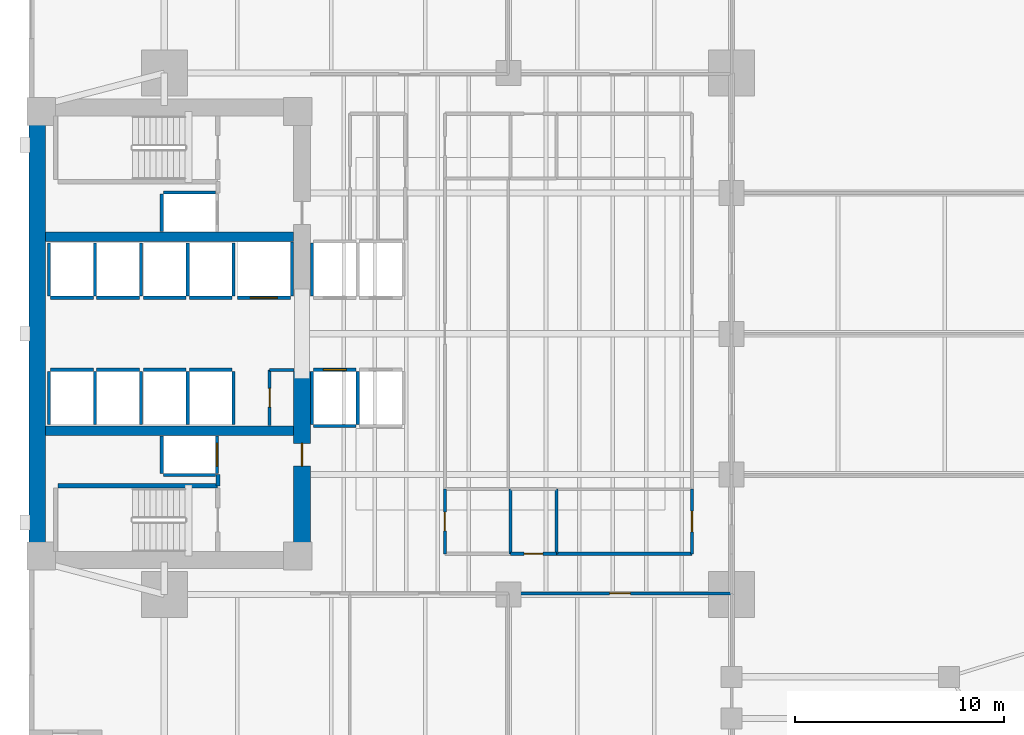
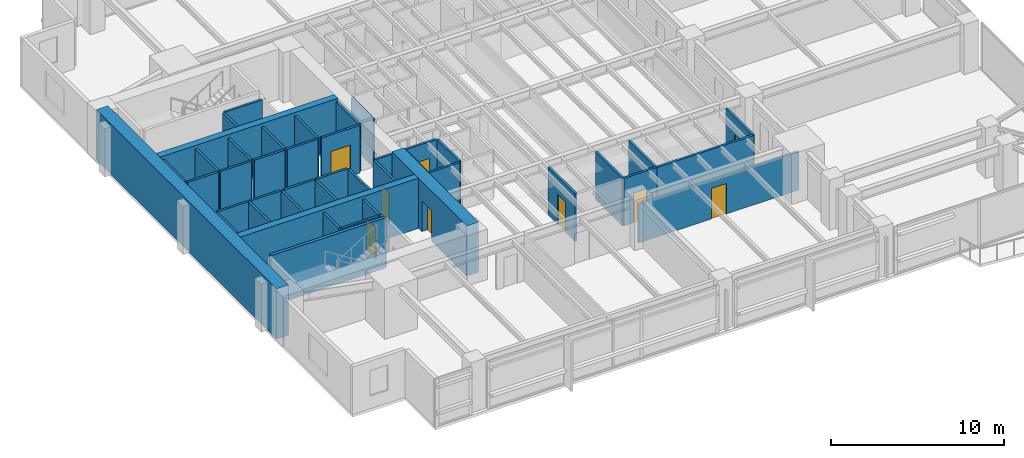
# One storey, part 8 of 15: 45 walls, 9 doors, 9 openings.
"""IFC4 building model written with IfcOpenShell, lengths in metres."""

from ifc_helpers import new_model, si_unit, direction, frame, frame_2d, origin, place, context, subcontext, project, spatial, rectangle, extrude, material, layer, layer_set, type_object, element, fill, save


model = new_model("IFC4")

# Units and contexts
model_context = context("Model", 3, precision=1e-05, world=origin(), true_north=direction((0.0, 1.0)))
body_context = subcontext(model_context, "Body", "Model", "MODEL_VIEW")
ifc_project = project(units=[si_unit("LENGTHUNIT", "METRE"), si_unit("AREAUNIT", "SQUARE_METRE"), si_unit("VOLUMEUNIT", "CUBIC_METRE"), si_unit("PLANEANGLEUNIT", "RADIAN"), si_unit("MASSUNIT", "GRAM", prefix="KILO")], contexts=[model_context])

# Site, building, storey
site_placement = place(None, origin())
site = spatial("IfcSite", under=ifc_project, at=site_placement, CompositionType="ELEMENT")
building_placement = place(site_placement, origin())
building = spatial("IfcBuilding", under=site, at=building_placement, Name="Kinhvarn Gate Tower", CompositionType="ELEMENT")
storey_placement = place(building_placement, frame((0.0, 0.0, 32.699951171875)))
storey = spatial("IfcBuildingStorey", under=building, at=storey_placement, Name="L07", CompositionType="ELEMENT", Elevation=32.699951171875)

# Walls
ifc_material_1 = material(Name="Concrete C50/60", Category="concrete")
ifc_layer_1 = layer(ifc_material_1, 0.449951171875)
ifc_layer_set_1 = layer_set([ifc_layer_1], Name="Concrete C50/60")
wall_type_1 = type_object("IfcWallType", Name="WL-CORE-450", PredefinedType="SHEAR", material=ifc_layer_set_1)
for number, where, z_axis, x_axis, name in (
    (1, (5.300048828125, 20.60009765625, 0.0), (0.0, 0.0, 1.0), (1.0, 0.0, 0.0), "Core South Spine Shear Wall L07 450 mm"),
    (2, (5.300048828125, 29.89990234375, 0.0), (0.0, 0.0, 1.0), (1.0, 0.0, 0.0), "Core North Spine Shear Wall L07 450 mm"),
):
    element("IfcWall", number, at=place(storey_placement, frame(where, z_axis=z_axis, x_axis=x_axis)), inside=storey, type_object=wall_type_1, Name=name, PredefinedType="SHEAR", context=body_context, shape_type="SweptSolid", body=[
        extrude(rectangle(XDim=11.89990234375, YDim=0.449951171875, at=frame_2d((5.949951171875, 0.0))), origin(), (0.0, 0.0, 1.0), 3.550048828125),
    ])

# Wall, opening, door
ifc_material_2 = material(Name="Concrete C70/85", Category="concrete")
ifc_layer_2 = layer(ifc_material_2, 0.800048828125)
ifc_layer_set_2 = layer_set([ifc_layer_2], Name="Concrete C70/85")
wall_type_2 = type_object("IfcWallType", Name="WL-CORE-800", PredefinedType="SHEAR", material=ifc_layer_set_2)
wall_1_placement = place(storey_placement, frame((17.60009765625, 14.800048828125, 0.0), z_axis=(0.0, 0.0, 1.0), x_axis=(0.0, 1.0, 0.0)))
wall_1 = element("IfcWall", 3, at=wall_1_placement, inside=storey, type_object=wall_type_2, Name="Core East-South Shear Pier L07 800 mm", PredefinedType="SHEAR", context=body_context, shape_type="SweptSolid", body=[
    extrude(rectangle(XDim=8.64990234375, YDim=0.800048828125, at=frame_2d((4.324951171875, 0.0))), origin(), (0.0, 0.0, 1.0), 3.550048828125),
])
opening_1_placement = place(wall_1_placement, frame((4.10009765625, 0.0, 0.0)))
opening_1 = element("IfcOpeningElement", 4, at=opening_1_placement, cuts=wall_1, Name="Opening FD-02", PredefinedType="OPENING", context=body_context, shape_type="SweptSolid", body=[
    extrude(rectangle(XDim=1.10009765625, YDim=2.14990234375, at=frame_2d((0.550048828125, 1.074951171875))), frame((0.0, 0.41015625, 0.0), z_axis=(0.0, -1.0, 0.0), x_axis=(1.0, 0.0, 0.0)), (0.0, 0.0, 1.0), 0.820068359375),
])
ifc_material_3 = material(Name="Anodised aluminium AW-6063", Category="aluminium")
door_type_1 = type_object("IfcDoorType", Name="DR-FD-1100", OperationType="NOTDEFINED", PredefinedType="DOOR", material=ifc_material_3)
door_1_placement = place(opening_1_placement, origin())
door_1 = element("IfcDoor", 5, at=door_1_placement, inside=storey, type_object=door_type_1, Name="Firefighting Lobby Core Door (L07)", OperationType="SINGLE_SWING_RIGHT", OverallHeight=2.14990234375, OverallWidth=1.10009765625, PredefinedType="DOOR", context=body_context, shape_type="SweptSolid", body=[
    extrude(rectangle(XDim=1.10009765625, YDim=2.14990234375, at=frame_2d((0.550048828125, 1.074951171875))), frame((0.0, 0.02490234375, 0.0), z_axis=(0.0, -1.0, 0.0), x_axis=(1.0, 0.0, 0.0)), (0.0, 0.0, 1.0), 0.050048828125),
])
fill(opening_1, door_1)

# Walls
ifc_layer_3 = layer(ifc_material_2, 0.800048828125)
ifc_layer_set_3 = layer_set([ifc_layer_3], Name="Concrete C70/85")
wall_type_3 = type_object("IfcWallType", Name="WL-COREX-800", PredefinedType="SHEAR", material=ifc_layer_set_3)
wall_2_placement = place(storey_placement, frame((4.89990234375, 14.800048828125, 0.0), z_axis=(0.0, 0.0, 1.0), x_axis=(0.0, 1.0, 0.0)))
element("IfcWall", 6, at=wall_2_placement, inside=storey, type_object=wall_type_3, Name="Core West Shear Wall L07 800 mm", PredefinedType="SHEAR", context=body_context, shape_type="SweptSolid", body=[
    extrude(rectangle(XDim=20.89990234375, YDim=0.800048828125, at=frame_2d((10.449951171875, 0.0))), origin(), (0.0, 0.0, 1.0), 3.550048828125),
])
ifc_material_4 = material(Name="Gypsum acoustic partition board")
ifc_layer_4 = layer(ifc_material_4, 0.14990234375)
ifc_layer_set_4 = layer_set([ifc_layer_4], Name="Gypsum acoustic partition board")
wall_type_4 = type_object("IfcWallType", Name="WL-PLM-150", PredefinedType="PLUMBINGWALL", material=ifc_layer_set_4)
for number, where, z_axis, x_axis, name in (
    (7, (27.60009765625, 14.699951171875, 0.0), (0.0, 0.0, 1.0), (0.0, 1.0, 0.0), "Interior Partition PLW-150 (L07)"),
    (8, (29.800048828125, 14.699951171875, 0.0), (0.0, 0.0, 1.0), (0.0, 1.0, 0.0), "Interior Partition PLW-150 (L07)"),
):
    element("IfcWall", number, at=place(storey_placement, frame(where, z_axis=z_axis, x_axis=x_axis)), inside=storey, type_object=wall_type_4, Name=name, PredefinedType="PLUMBINGWALL", context=body_context, shape_type="SweptSolid", body=[
        extrude(rectangle(XDim=3.10009765625, YDim=0.14990234375, at=frame_2d((1.550048828125, 0.0))), origin(), (0.0, 0.0, 1.0), 3.3701171875),
    ])

# Wall, opening, door
ifc_layer_5 = layer(ifc_material_4, 0.14990234375)
ifc_layer_set_5 = layer_set([ifc_layer_5], Name="Gypsum acoustic partition board")
wall_type_5 = type_object("IfcWallType", Name="WL-PLM-150F", PredefinedType="PLUMBINGWALL", material=ifc_layer_set_5)
wall_3_placement = place(storey_placement, frame((24.449951171875, 14.699951171875, 0.0), z_axis=(0.0, 0.0, 1.0), x_axis=(0.0, 1.0, 0.0)))
wall_3 = element("IfcWall", 9, at=wall_3_placement, inside=storey, type_object=wall_type_5, Name="Interior Partition PLW-150F (L07)", PredefinedType="PLUMBINGWALL", context=body_context, shape_type="SweptSolid", body=[
    extrude(rectangle(XDim=3.10009765625, YDim=0.14990234375, at=frame_2d((1.550048828125, 0.0))), origin(), (0.0, 0.0, 1.0), 3.3701171875),
])
opening_2_placement = place(wall_3_placement, frame((1.10009765625, 0.0, 0.0)))
opening_2 = element("IfcOpeningElement", 10, at=opening_2_placement, cuts=wall_3, Name="Opening FD-04", PredefinedType="OPENING", context=body_context, shape_type="SweptSolid", body=[
    extrude(rectangle(XDim=0.89990234375, YDim=2.10009765625, at=frame_2d((0.449951171875, 1.050048828125))), frame((0.0, 0.0849609375, 0.0), z_axis=(0.0, -1.0, 0.0), x_axis=(1.0, 0.0, 0.0)), (0.0, 0.0, 1.0), 0.169921875),
])
door_type_2 = type_object("IfcDoorType", Name="DR-FD-900", OperationType="NOTDEFINED", PredefinedType="DOOR", material=ifc_material_3)
door_2_placement = place(opening_2_placement, origin())
door_2 = element("IfcDoor", 11, at=door_2_placement, inside=storey, type_object=door_type_2, Name="Rated Riser & Service Closet Fire Door 900x2100 mm (L07)", OperationType="SINGLE_SWING_LEFT", OverallHeight=2.10009765625, OverallWidth=0.89990234375, PredefinedType="DOOR", context=body_context, shape_type="SweptSolid", body=[
    extrude(rectangle(XDim=0.89990234375, YDim=2.10009765625, at=frame_2d((0.449951171875, 1.050048828125))), frame((0.0, 0.02490234375, 0.0), z_axis=(0.0, -1.0, 0.0), x_axis=(1.0, 0.0, 0.0)), (0.0, 0.0, 1.0), 0.050048828125),
])
fill(opening_2, door_2)

wall_4_placement = place(storey_placement, frame((27.60009765625, 14.699951171875, 0.0), z_axis=(0.0, 0.0, 1.0), x_axis=(1.0, 0.0, 0.0)))
wall_4 = element("IfcWall", 12, at=wall_4_placement, inside=storey, type_object=wall_type_5, Name="Interior Partition PLW-150F (L07)", PredefinedType="PLUMBINGWALL", context=body_context, shape_type="SweptSolid", body=[
    extrude(rectangle(XDim=2.199951171875, YDim=0.14990234375, at=frame_2d((1.10009765625, 0.0))), origin(), (0.0, 0.0, 1.0), 3.3701171875),
])
opening_3_placement = place(wall_4_placement, frame((0.64990234375, 0.0, 0.0)))
opening_3 = element("IfcOpeningElement", 13, at=opening_3_placement, cuts=wall_4, Name="Opening FD-04", PredefinedType="OPENING", context=body_context, shape_type="SweptSolid", body=[
    extrude(rectangle(XDim=0.89990234375, YDim=2.10009765625, at=frame_2d((0.449951171875, 1.050048828125))), frame((0.0, 0.0849609375, 0.0), z_axis=(0.0, -1.0, 0.0), x_axis=(1.0, 0.0, 0.0)), (0.0, 0.0, 1.0), 0.169921875),
])
door_3_placement = place(opening_3_placement, origin())
door_3 = element("IfcDoor", 14, at=door_3_placement, inside=storey, type_object=door_type_2, Name="Rated Riser & Service Closet Fire Door 900x2100 mm (L07)", OperationType="SINGLE_SWING_LEFT", OverallHeight=2.10009765625, OverallWidth=0.89990234375, PredefinedType="DOOR", context=body_context, shape_type="SweptSolid", body=[
    extrude(rectangle(XDim=0.89990234375, YDim=2.10009765625, at=frame_2d((0.449951171875, 1.050048828125))), frame((0.0, 0.02490234375, 0.0), z_axis=(0.0, -1.0, 0.0), x_axis=(1.0, 0.0, 0.0)), (0.0, 0.0, 1.0), 0.050048828125),
])
fill(opening_3, door_3)

ifc_layer_6 = layer(ifc_material_4, 0.14990234375)
ifc_layer_set_6 = layer_set([ifc_layer_6], Name="Gypsum acoustic partition board")
wall_type_6 = type_object("IfcWallType", Name="WL-PRT-150F", PredefinedType="PARTITIONING", material=ifc_layer_set_6)
wall_5_placement = place(storey_placement, frame((16.050048828125, 20.85009765625, 0.0), z_axis=(0.0, 0.0, 1.0), x_axis=(0.0, 1.0, 0.0)))
wall_5 = element("IfcWall", 15, at=wall_5_placement, inside=storey, type_object=wall_type_6, Name="Interior Partition PW-150F (L07)", PredefinedType="PARTITIONING", context=body_context, shape_type="SweptSolid", body=[
    extrude(rectangle(XDim=2.669921875, YDim=0.14990234375, at=frame_2d((1.3349609375, 0.0))), origin(), (0.0, 0.0, 1.0), 3.3701171875),
])
opening_4_placement = place(wall_5_placement, frame((0.885009765625, 0.0, 0.0)))
opening_4 = element("IfcOpeningElement", 16, at=opening_4_placement, cuts=wall_5, Name="Opening FD-04", PredefinedType="OPENING", context=body_context, shape_type="SweptSolid", body=[
    extrude(rectangle(XDim=0.89990234375, YDim=2.10009765625, at=frame_2d((0.449951171875, 1.050048828125))), frame((0.0, 0.0849609375, 0.0), z_axis=(0.0, -1.0, 0.0), x_axis=(1.0, 0.0, 0.0)), (0.0, 0.0, 1.0), 0.169921875),
])
door_4_placement = place(opening_4_placement, origin())
door_4 = element("IfcDoor", 17, at=door_4_placement, inside=storey, type_object=door_type_2, Name="Rated Riser & Service Closet Fire Door 900x2100 mm (L07)", OperationType="SINGLE_SWING_LEFT", OverallHeight=2.10009765625, OverallWidth=0.89990234375, PredefinedType="DOOR", context=body_context, shape_type="SweptSolid", body=[
    extrude(rectangle(XDim=0.89990234375, YDim=2.10009765625, at=frame_2d((0.449951171875, 1.050048828125))), frame((0.0, 0.02490234375, 0.0), z_axis=(0.0, -1.0, 0.0), x_axis=(1.0, 0.0, 0.0)), (0.0, 0.0, 1.0), 0.050048828125),
])
fill(opening_4, door_4)

# Walls
wall_6_placement = place(storey_placement, frame((16.050048828125, 23.52001953125, 0.0), z_axis=(0.0, 0.0, 1.0), x_axis=(1.0, 0.0, 0.0)))
element("IfcWall", 18, at=wall_6_placement, inside=storey, type_object=wall_type_6, Name="Interior Partition PW-150F (L07)", PredefinedType="PARTITIONING", context=body_context, shape_type="SweptSolid", body=[
    extrude(rectangle(XDim=1.169921875, YDim=0.14990234375, at=frame_2d((0.5849609375, 0.0))), origin(), (0.0, 0.0, 1.0), 3.3701171875),
])
wall_7_placement = place(storey_placement, frame((29.800048828125, 14.699951171875, 0.0), z_axis=(0.0, 0.0, 1.0), x_axis=(1.0, 0.0, 0.0)))
element("IfcWall", 19, at=wall_7_placement, inside=storey, type_object=wall_type_6, Name="Interior Partition PW-150F (L07)", PredefinedType="PARTITIONING", context=body_context, shape_type="SweptSolid", body=[
    extrude(rectangle(XDim=6.5, YDim=0.14990234375, at=frame_2d((3.25, 0.0))), origin(), (0.0, 0.0, 1.0), 3.3701171875),
])

# Wall, opening, door
wall_8_placement = place(storey_placement, frame((27.5, 12.800048828125, 0.0), z_axis=(0.0, 0.0, 1.0), x_axis=(1.0, 0.0, 0.0)))
wall_8 = element("IfcWall", 20, at=wall_8_placement, inside=storey, type_object=wall_type_6, Name="Interior Partition PW-150F (L07)", PredefinedType="PARTITIONING", context=body_context, shape_type="SweptSolid", body=[
    extrude(rectangle(XDim=10.699951171875, YDim=0.14990234375, at=frame_2d((5.35009765625, 0.0))), origin(), (0.0, 0.0, 1.0), 2.719970703125),
])
opening_5_placement = place(wall_8_placement, frame((4.85009765625, 0.0, 0.0)))
opening_5 = element("IfcOpeningElement", 21, at=opening_5_placement, cuts=wall_8, Name="Opening ID-02", PredefinedType="OPENING", context=body_context, shape_type="SweptSolid", body=[
    extrude(rectangle(XDim=1.0, YDim=2.14990234375, at=frame_2d((0.5, 1.074951171875))), frame((0.0, 0.0849609375, 0.0), z_axis=(0.0, -1.0, 0.0), x_axis=(1.0, 0.0, 0.0)), (0.0, 0.0, 1.0), 0.169921875),
])
door_type_3 = type_object("IfcDoorType", Name="DR-INT-1000", OperationType="NOTDEFINED", PredefinedType="DOOR", material=ifc_material_3)
door_5_placement = place(opening_5_placement, origin())
door_5 = element("IfcDoor", 22, at=door_5_placement, inside=storey, type_object=door_type_3, Name="Standard Office & Meeting Room Door 1000x2150 mm (L07)", OperationType="SINGLE_SWING_RIGHT", OverallHeight=2.14990234375, OverallWidth=1.0, PredefinedType="DOOR", context=body_context, shape_type="SweptSolid", body=[
    extrude(rectangle(XDim=1.0, YDim=2.14990234375, at=frame_2d((0.5, 1.074951171875))), frame((0.0, 0.02490234375, 0.0), z_axis=(0.0, -1.0, 0.0), x_axis=(1.0, 0.0, 0.0)), (0.0, 0.0, 1.0), 0.050048828125),
])
fill(opening_5, door_5)

wall_9_placement = place(storey_placement, frame((36.300048828125, 14.699951171875, 0.0), z_axis=(0.0, 0.0, 1.0), x_axis=(0.0, 1.0, 0.0)))
wall_9 = element("IfcWall", 23, at=wall_9_placement, inside=storey, type_object=wall_type_6, Name="Interior Partition PW-150F (L07)", PredefinedType="PARTITIONING", context=body_context, shape_type="SweptSolid", body=[
    extrude(rectangle(XDim=3.10009765625, YDim=0.14990234375, at=frame_2d((1.550048828125, 0.0))), origin(), (0.0, 0.0, 1.0), 3.3701171875),
])
opening_6_placement = place(wall_9_placement, frame((1.050048828125, 0.0, 0.0)))
opening_6 = element("IfcOpeningElement", 24, at=opening_6_placement, cuts=wall_9, Name="Opening ID-02", PredefinedType="OPENING", context=body_context, shape_type="SweptSolid", body=[
    extrude(rectangle(XDim=1.0, YDim=2.14990234375, at=frame_2d((0.5, 1.074951171875))), frame((0.0, 0.0849609375, 0.0), z_axis=(0.0, -1.0, 0.0), x_axis=(1.0, 0.0, 0.0)), (0.0, 0.0, 1.0), 0.169921875),
])
door_6_placement = place(opening_6_placement, origin())
door_6 = element("IfcDoor", 25, at=door_6_placement, inside=storey, type_object=door_type_3, Name="Standard Office & Meeting Room Door 1000x2150 mm (L07)", OperationType="SINGLE_SWING_RIGHT", OverallHeight=2.14990234375, OverallWidth=1.0, PredefinedType="DOOR", context=body_context, shape_type="SweptSolid", body=[
    extrude(rectangle(XDim=1.0, YDim=2.14990234375, at=frame_2d((0.5, 1.074951171875))), frame((0.0, 0.02490234375, 0.0), z_axis=(0.0, -1.0, 0.0), x_axis=(1.0, 0.0, 0.0)), (0.0, 0.0, 1.0), 0.050048828125),
])
fill(opening_6, door_6)

# Walls
ifc_layer_7 = layer(ifc_material_4, 0.199951171875)
ifc_layer_set_7 = layer_set([ifc_layer_7], Name="Gypsum acoustic partition board")
wall_type_7 = type_object("IfcWallType", Name="WL-PRT-200", PredefinedType="PARTITIONING", material=ifc_layer_set_7)
wall_10_placement = place(storey_placement, frame((13.580078125, 17.9599609375, 0.0), z_axis=(0.0, 0.0, 1.0), x_axis=(0.0, 1.0, 0.0)))
element("IfcWall", 26, at=wall_10_placement, inside=storey, type_object=wall_type_7, Name="Interior Partition PW-200 (L07)", PredefinedType="PARTITIONING", context=body_context, shape_type="SweptSolid", body=[
    extrude(rectangle(XDim=0.5400390625, YDim=0.199951171875, at=frame_2d((0.27001953125, 0.0))), origin(), (0.0, 0.0, 1.0), 3.3701171875),
])
ifc_layer_8 = layer(ifc_material_4, 0.14990234375)
ifc_layer_set_8 = layer_set([ifc_layer_8], Name="Gypsum acoustic partition board")
wall_type_8 = type_object("IfcWallType", Name="WL-SHF-150", PredefinedType="PARTITIONING", material=ifc_layer_set_8)
wall_11_placement = place(storey_placement, frame((18.14990234375, 20.824951171875, 0.0), z_axis=(0.0, 0.0, 1.0), x_axis=(1.0, 0.0, 0.0)))
element("IfcWall", 27, at=wall_11_placement, inside=storey, type_object=wall_type_8, Name="Elevator PL-01 Hoistway Wall S (L07)", PredefinedType="PARTITIONING", context=body_context, shape_type="SweptSolid", body=[
    extrude(rectangle(XDim=2.050048828125, YDim=0.14990234375, at=frame_2d((1.02490234375, 0.0))), origin(), (0.0, 0.0, 1.0), 3.3701171875),
])

# Wall, opening, door
wall_12_placement = place(storey_placement, frame((18.14990234375, 23.52490234375, 0.0), z_axis=(0.0, 0.0, 1.0), x_axis=(1.0, 0.0, 0.0)))
wall_12 = element("IfcWall", 28, at=wall_12_placement, inside=storey, type_object=wall_type_8, Name="Elevator PL-01 Landing Wall (L07)", PredefinedType="PARTITIONING", context=body_context, shape_type="SweptSolid", body=[
    extrude(rectangle(XDim=2.050048828125, YDim=0.14990234375, at=frame_2d((1.02490234375, 0.0))), origin(), (0.0, 0.0, 1.0), 3.3701171875),
])
opening_7_placement = place(wall_12_placement, frame((0.47509765625, 0.0, 0.0)))
opening_7 = element("IfcOpeningElement", 29, at=opening_7_placement, cuts=wall_12, Name="Opening LD-01", PredefinedType="OPENING", context=body_context, shape_type="SweptSolid", body=[
    extrude(rectangle(XDim=1.10009765625, YDim=2.199951171875, at=frame_2d((0.550048828125, 1.10009765625))), frame((0.0, 0.0849609375, 0.0), z_axis=(0.0, -1.0, 0.0), x_axis=(1.0, 0.0, 0.0)), (0.0, 0.0, 1.0), 0.169921875),
])
door_type_4 = type_object("IfcDoorType", Name="DR-LND-PAS", OperationType="NOTDEFINED", PredefinedType="DOOR", material=ifc_material_3)
door_7_placement = place(opening_7_placement, origin())
door_7 = element("IfcDoor", 30, at=door_7_placement, inside=storey, type_object=door_type_4, Name="Elevator PL-01 Sliding Landing Door (L07)", OperationType="DOUBLE_DOOR_SLIDING", OverallHeight=2.199951171875, OverallWidth=1.10009765625, PredefinedType="DOOR", context=body_context, shape_type="SweptSolid", body=[
    extrude(rectangle(XDim=1.10009765625, YDim=2.199951171875, at=frame_2d((0.550048828125, 1.10009765625))), frame((0.0, 0.02490234375, 0.0), z_axis=(0.0, -1.0, 0.0), x_axis=(1.0, 0.0, 0.0)), (0.0, 0.0, 1.0), 0.050048828125),
])
fill(opening_7, door_7)

# Walls
for number, where, z_axis, x_axis, name in (
    (31, (18.074951171875, 20.89990234375, 0.0), (0.0, 0.0, 1.0), (0.0, 1.0, 0.0), "Elevator PL-01 Hoistway Wall W (L07)"),
    (32, (20.27490234375, 20.89990234375, 0.0), (0.0, 0.0, 1.0), (0.0, 1.0, 0.0), "Elevator PL-01 Hoistway Wall E (L07)"),
    (33, (18.074951171875, 27.050048828125, 0.0), (0.0, 0.0, 1.0), (0.0, 1.0, 0.0), "Elevator PL-03 Hoistway Wall W (L07)"),
):
    element("IfcWall", number, at=place(storey_placement, frame(where, z_axis=z_axis, x_axis=x_axis)), inside=storey, type_object=wall_type_8, Name=name, PredefinedType="PARTITIONING", context=body_context, shape_type="SweptSolid", body=[
        extrude(rectangle(XDim=2.550048828125, YDim=0.14990234375, at=frame_2d((1.27490234375, 0.0))), origin(), (0.0, 0.0, 1.0), 3.3701171875),
    ])
wall_13_placement = place(storey_placement, frame((5.550048828125, 23.52490234375, 0.0), z_axis=(0.0, 0.0, 1.0), x_axis=(1.0, 0.0, 0.0)))
element("IfcWall", 34, at=wall_13_placement, inside=storey, type_object=wall_type_8, Name="Elevator PM-05 Landing Wall (L07)", PredefinedType="PARTITIONING", context=body_context, shape_type="SweptSolid", body=[
    extrude(rectangle(XDim=2.050048828125, YDim=0.14990234375, at=frame_2d((1.02490234375, 0.0))), origin(), (0.0, 0.0, 1.0), 3.3701171875),
])
for number, where, z_axis, x_axis, name in (
    (35, (5.47509765625, 20.89990234375, 0.0), (0.0, 0.0, 1.0), (0.0, 1.0, 0.0), "Elevator PM-05 Hoistway Wall W (L07)"),
    (36, (7.675048828125, 20.89990234375, 0.0), (0.0, 0.0, 1.0), (0.0, 1.0, 0.0), "Elevator PM-05 Hoistway Wall E (L07)"),
):
    element("IfcWall", number, at=place(storey_placement, frame(where, z_axis=z_axis, x_axis=x_axis)), inside=storey, type_object=wall_type_8, Name=name, PredefinedType="PARTITIONING", context=body_context, shape_type="SweptSolid", body=[
        extrude(rectangle(XDim=2.550048828125, YDim=0.14990234375, at=frame_2d((1.27490234375, 0.0))), origin(), (0.0, 0.0, 1.0), 3.3701171875),
    ])
wall_14_placement = place(storey_placement, frame((7.75, 23.52490234375, 0.0), z_axis=(0.0, 0.0, 1.0), x_axis=(1.0, 0.0, 0.0)))
element("IfcWall", 37, at=wall_14_placement, inside=storey, type_object=wall_type_8, Name="Elevator PM-06 Landing Wall (L07)", PredefinedType="PARTITIONING", context=body_context, shape_type="SweptSolid", body=[
    extrude(rectangle(XDim=2.050048828125, YDim=0.14990234375, at=frame_2d((1.02490234375, 0.0))), origin(), (0.0, 0.0, 1.0), 3.3701171875),
])
wall_15_placement = place(storey_placement, frame((9.875, 20.89990234375, 0.0), z_axis=(0.0, 0.0, 1.0), x_axis=(0.0, 1.0, 0.0)))
element("IfcWall", 38, at=wall_15_placement, inside=storey, type_object=wall_type_8, Name="Elevator PM-06 Hoistway Wall E (L07)", PredefinedType="PARTITIONING", context=body_context, shape_type="SweptSolid", body=[
    extrude(rectangle(XDim=2.550048828125, YDim=0.14990234375, at=frame_2d((1.27490234375, 0.0))), origin(), (0.0, 0.0, 1.0), 3.3701171875),
])
wall_16_placement = place(storey_placement, frame((5.550048828125, 26.97509765625, 0.0), z_axis=(0.0, 0.0, 1.0), x_axis=(1.0, 0.0, 0.0)))
element("IfcWall", 39, at=wall_16_placement, inside=storey, type_object=wall_type_8, Name="Elevator PM-07 Landing Wall (L07)", PredefinedType="PARTITIONING", context=body_context, shape_type="SweptSolid", body=[
    extrude(rectangle(XDim=2.050048828125, YDim=0.14990234375, at=frame_2d((1.02490234375, 0.0))), origin(), (0.0, 0.0, 1.0), 3.3701171875),
])
for number, where, z_axis, x_axis, name in (
    (40, (5.47509765625, 27.050048828125, 0.0), (0.0, 0.0, 1.0), (0.0, 1.0, 0.0), "Elevator PM-07 Hoistway Wall W (L07)"),
    (41, (7.675048828125, 27.050048828125, 0.0), (0.0, 0.0, 1.0), (0.0, 1.0, 0.0), "Elevator PM-07 Hoistway Wall E (L07)"),
):
    element("IfcWall", number, at=place(storey_placement, frame(where, z_axis=z_axis, x_axis=x_axis)), inside=storey, type_object=wall_type_8, Name=name, PredefinedType="PARTITIONING", context=body_context, shape_type="SweptSolid", body=[
        extrude(rectangle(XDim=2.550048828125, YDim=0.14990234375, at=frame_2d((1.27490234375, 0.0))), origin(), (0.0, 0.0, 1.0), 3.3701171875),
    ])
wall_17_placement = place(storey_placement, frame((7.75, 26.97509765625, 0.0), z_axis=(0.0, 0.0, 1.0), x_axis=(1.0, 0.0, 0.0)))
element("IfcWall", 42, at=wall_17_placement, inside=storey, type_object=wall_type_8, Name="Elevator PM-08 Landing Wall (L07)", PredefinedType="PARTITIONING", context=body_context, shape_type="SweptSolid", body=[
    extrude(rectangle(XDim=2.050048828125, YDim=0.14990234375, at=frame_2d((1.02490234375, 0.0))), origin(), (0.0, 0.0, 1.0), 3.3701171875),
])
wall_18_placement = place(storey_placement, frame((9.875, 27.050048828125, 0.0), z_axis=(0.0, 0.0, 1.0), x_axis=(0.0, 1.0, 0.0)))
element("IfcWall", 43, at=wall_18_placement, inside=storey, type_object=wall_type_8, Name="Elevator PM-08 Hoistway Wall E (L07)", PredefinedType="PARTITIONING", context=body_context, shape_type="SweptSolid", body=[
    extrude(rectangle(XDim=2.550048828125, YDim=0.14990234375, at=frame_2d((1.27490234375, 0.0))), origin(), (0.0, 0.0, 1.0), 3.3701171875),
])
wall_19_placement = place(storey_placement, frame((10.0, 23.52490234375, 0.0), z_axis=(0.0, 0.0, 1.0), x_axis=(1.0, 0.0, 0.0)))
element("IfcWall", 44, at=wall_19_placement, inside=storey, type_object=wall_type_8, Name="Elevator PH-09 Landing Wall (L07)", PredefinedType="PARTITIONING", context=body_context, shape_type="SweptSolid", body=[
    extrude(rectangle(XDim=2.050048828125, YDim=0.14990234375, at=frame_2d((1.02490234375, 0.0))), origin(), (0.0, 0.0, 1.0), 3.3701171875),
])
wall_20_placement = place(storey_placement, frame((12.125, 20.89990234375, 0.0), z_axis=(0.0, 0.0, 1.0), x_axis=(0.0, 1.0, 0.0)))
element("IfcWall", 45, at=wall_20_placement, inside=storey, type_object=wall_type_8, Name="Elevator PH-09 Hoistway Wall E (L07)", PredefinedType="PARTITIONING", context=body_context, shape_type="SweptSolid", body=[
    extrude(rectangle(XDim=2.550048828125, YDim=0.14990234375, at=frame_2d((1.27490234375, 0.0))), origin(), (0.0, 0.0, 1.0), 3.3701171875),
])
wall_21_placement = place(storey_placement, frame((12.199951171875, 23.52490234375, 0.0), z_axis=(0.0, 0.0, 1.0), x_axis=(1.0, 0.0, 0.0)))
element("IfcWall", 46, at=wall_21_placement, inside=storey, type_object=wall_type_8, Name="Elevator PH-10 Landing Wall (L07)", PredefinedType="PARTITIONING", context=body_context, shape_type="SweptSolid", body=[
    extrude(rectangle(XDim=2.050048828125, YDim=0.14990234375, at=frame_2d((1.02490234375, 0.0))), origin(), (0.0, 0.0, 1.0), 3.3701171875),
])
wall_22_placement = place(storey_placement, frame((14.324951171875, 20.89990234375, 0.0), z_axis=(0.0, 0.0, 1.0), x_axis=(0.0, 1.0, 0.0)))
element("IfcWall", 47, at=wall_22_placement, inside=storey, type_object=wall_type_8, Name="Elevator PH-10 Hoistway Wall E (L07)", PredefinedType="PARTITIONING", context=body_context, shape_type="SweptSolid", body=[
    extrude(rectangle(XDim=2.550048828125, YDim=0.14990234375, at=frame_2d((1.27490234375, 0.0))), origin(), (0.0, 0.0, 1.0), 3.3701171875),
])
wall_23_placement = place(storey_placement, frame((10.0, 26.97509765625, 0.0), z_axis=(0.0, 0.0, 1.0), x_axis=(1.0, 0.0, 0.0)))
element("IfcWall", 48, at=wall_23_placement, inside=storey, type_object=wall_type_8, Name="Elevator PH-11 Landing Wall (L07)", PredefinedType="PARTITIONING", context=body_context, shape_type="SweptSolid", body=[
    extrude(rectangle(XDim=2.050048828125, YDim=0.14990234375, at=frame_2d((1.02490234375, 0.0))), origin(), (0.0, 0.0, 1.0), 3.3701171875),
])
wall_24_placement = place(storey_placement, frame((12.125, 27.050048828125, 0.0), z_axis=(0.0, 0.0, 1.0), x_axis=(0.0, 1.0, 0.0)))
element("IfcWall", 49, at=wall_24_placement, inside=storey, type_object=wall_type_8, Name="Elevator PH-11 Hoistway Wall E (L07)", PredefinedType="PARTITIONING", context=body_context, shape_type="SweptSolid", body=[
    extrude(rectangle(XDim=2.550048828125, YDim=0.14990234375, at=frame_2d((1.27490234375, 0.0))), origin(), (0.0, 0.0, 1.0), 3.3701171875),
])
wall_25_placement = place(storey_placement, frame((12.199951171875, 26.97509765625, 0.0), z_axis=(0.0, 0.0, 1.0), x_axis=(1.0, 0.0, 0.0)))
element("IfcWall", 50, at=wall_25_placement, inside=storey, type_object=wall_type_8, Name="Elevator PH-12 Landing Wall (L07)", PredefinedType="PARTITIONING", context=body_context, shape_type="SweptSolid", body=[
    extrude(rectangle(XDim=2.050048828125, YDim=0.14990234375, at=frame_2d((1.02490234375, 0.0))), origin(), (0.0, 0.0, 1.0), 3.3701171875),
])
wall_26_placement = place(storey_placement, frame((14.324951171875, 27.050048828125, 0.0), z_axis=(0.0, 0.0, 1.0), x_axis=(0.0, 1.0, 0.0)))
element("IfcWall", 51, at=wall_26_placement, inside=storey, type_object=wall_type_8, Name="Elevator PH-12 Hoistway Wall E (L07)", PredefinedType="PARTITIONING", context=body_context, shape_type="SweptSolid", body=[
    extrude(rectangle(XDim=2.550048828125, YDim=0.14990234375, at=frame_2d((1.27490234375, 0.0))), origin(), (0.0, 0.0, 1.0), 3.3701171875),
])

# Wall, opening, door
wall_27_placement = place(storey_placement, frame((14.5, 26.97509765625, 0.0), z_axis=(0.0, 0.0, 1.0), x_axis=(1.0, 0.0, 0.0)))
wall_27 = element("IfcWall", 52, at=wall_27_placement, inside=storey, type_object=wall_type_8, Name="Elevator SV-01 Landing Wall (L07)", PredefinedType="PARTITIONING", context=body_context, shape_type="SweptSolid", body=[
    extrude(rectangle(XDim=2.550048828125, YDim=0.14990234375, at=frame_2d((1.27490234375, 0.0))), origin(), (0.0, 0.0, 1.0), 3.3701171875),
])
opening_8_placement = place(wall_27_placement, frame((0.625, 0.0, 0.0)))
opening_8 = element("IfcOpeningElement", 53, at=opening_8_placement, cuts=wall_27, Name="Opening LD-02", PredefinedType="OPENING", context=body_context, shape_type="SweptSolid", body=[
    extrude(rectangle(XDim=1.300048828125, YDim=2.199951171875, at=frame_2d((0.64990234375, 1.10009765625))), frame((0.0, 0.0849609375, 0.0), z_axis=(0.0, -1.0, 0.0), x_axis=(1.0, 0.0, 0.0)), (0.0, 0.0, 1.0), 0.169921875),
])
door_type_5 = type_object("IfcDoorType", Name="DR-LND-SRV", OperationType="NOTDEFINED", PredefinedType="DOOR", material=ifc_material_3)
door_8_placement = place(opening_8_placement, origin())
door_8 = element("IfcDoor", 54, at=door_8_placement, inside=storey, type_object=door_type_5, Name="Elevator SV-01 Sliding Landing Door (L07)", OperationType="DOUBLE_DOOR_SLIDING", OverallHeight=2.199951171875, OverallWidth=1.300048828125, PredefinedType="DOOR", context=body_context, shape_type="SweptSolid", body=[
    extrude(rectangle(XDim=1.300048828125, YDim=2.199951171875, at=frame_2d((0.64990234375, 1.10009765625))), frame((0.0, 0.02490234375, 0.0), z_axis=(0.0, -1.0, 0.0), x_axis=(1.0, 0.0, 0.0)), (0.0, 0.0, 1.0), 0.050048828125),
])
fill(opening_8, door_8)

# Walls
wall_28_placement = place(storey_placement, frame((17.125, 27.050048828125, 0.0), z_axis=(0.0, 0.0, 1.0), x_axis=(0.0, 1.0, 0.0)))
element("IfcWall", 55, at=wall_28_placement, inside=storey, type_object=wall_type_8, Name="Elevator SV-01 Hoistway Wall E (L07)", PredefinedType="PARTITIONING", context=body_context, shape_type="SweptSolid", body=[
    extrude(rectangle(XDim=2.599853515625, YDim=0.14990234375, at=frame_2d((1.2998046875, 0.0))), origin(), (0.0, 0.0, 1.0), 3.3701171875),
])
wall_29_placement = place(storey_placement, frame((10.949951171875, 18.47509765625, 0.0), z_axis=(0.0, 0.0, 1.0), x_axis=(1.0, 0.0, 0.0)))
element("IfcWall", 56, at=wall_29_placement, inside=storey, type_object=wall_type_8, Name="Elevator FF1 Hoistway Wall S (L07)", PredefinedType="PARTITIONING", context=body_context, shape_type="SweptSolid", body=[
    extrude(rectangle(XDim=2.5, YDim=0.14990234375, at=frame_2d((1.25, 0.0))), origin(), (0.0, 0.0, 1.0), 3.3701171875),
])
wall_30_placement = place(storey_placement, frame((10.875, 18.550048828125, 0.0), z_axis=(0.0, 0.0, 1.0), x_axis=(0.0, 1.0, 0.0)))
element("IfcWall", 57, at=wall_30_placement, inside=storey, type_object=wall_type_8, Name="Elevator FF1 Hoistway Wall W (L07)", PredefinedType="PARTITIONING", context=body_context, shape_type="SweptSolid", body=[
    extrude(rectangle(XDim=1.800048828125, YDim=0.14990234375, at=frame_2d((0.89990234375, 0.0))), origin(), (0.0, 0.0, 1.0), 3.3701171875),
])

# Wall, opening, door
wall_31_placement = place(storey_placement, frame((13.52490234375, 18.550048828125, 0.0), z_axis=(0.0, 0.0, 1.0), x_axis=(0.0, 1.0, 0.0)))
wall_31 = element("IfcWall", 58, at=wall_31_placement, inside=storey, type_object=wall_type_8, Name="Elevator FF1 Landing Wall (L07)", PredefinedType="PARTITIONING", context=body_context, shape_type="SweptSolid", body=[
    extrude(rectangle(XDim=1.800048828125, YDim=0.14990234375, at=frame_2d((0.89990234375, 0.0))), origin(), (0.0, 0.0, 1.0), 3.3701171875),
])
opening_9_placement = place(wall_31_placement, frame((0.35009765625, 0.0, 0.0)))
opening_9 = element("IfcOpeningElement", 59, at=opening_9_placement, cuts=wall_31, Name="Opening LD-03", PredefinedType="OPENING", context=body_context, shape_type="SweptSolid", body=[
    extrude(rectangle(XDim=1.10009765625, YDim=2.199951171875, at=frame_2d((0.550048828125, 1.10009765625))), frame((0.0, 0.0849609375, 0.0), z_axis=(0.0, -1.0, 0.0), x_axis=(1.0, 0.0, 0.0)), (0.0, 0.0, 1.0), 0.169921875),
])
door_type_6 = type_object("IfcDoorType", Name="DR-LND-FF", OperationType="NOTDEFINED", PredefinedType="DOOR", material=ifc_material_3)
door_9_placement = place(opening_9_placement, origin())
door_9 = element("IfcDoor", 60, at=door_9_placement, inside=storey, type_object=door_type_6, Name="Elevator FF1 Sliding Landing Door (L07)", OperationType="DOUBLE_DOOR_SLIDING", OverallHeight=2.199951171875, OverallWidth=1.10009765625, PredefinedType="DOOR", context=body_context, shape_type="SweptSolid", body=[
    extrude(rectangle(XDim=1.10009765625, YDim=2.199951171875, at=frame_2d((0.550048828125, 1.10009765625))), frame((0.0, 0.02490234375, 0.0), z_axis=(0.0, -1.0, 0.0), x_axis=(1.0, 0.0, 0.0)), (0.0, 0.0, 1.0), 0.050048828125),
])
fill(opening_9, door_9)

# Walls
wall_32_placement = place(storey_placement, frame((10.949951171875, 32.02490234375, 0.0), z_axis=(0.0, 0.0, 1.0), x_axis=(1.0, 0.0, 0.0)))
element("IfcWall", 61, at=wall_32_placement, inside=storey, type_object=wall_type_8, Name="Elevator FF2 Hoistway Wall N (L07)", PredefinedType="PARTITIONING", context=body_context, shape_type="SweptSolid", body=[
    extrude(rectangle(XDim=2.5, YDim=0.14990234375, at=frame_2d((1.25, 0.0))), origin(), (0.0, 0.0, 1.0), 3.3701171875),
])
wall_33_placement = place(storey_placement, frame((10.875, 30.14990234375, 0.0), z_axis=(0.0, 0.0, 1.0), x_axis=(0.0, 1.0, 0.0)))
element("IfcWall", 62, at=wall_33_placement, inside=storey, type_object=wall_type_8, Name="Elevator FF2 Hoistway Wall W (L07)", PredefinedType="PARTITIONING", context=body_context, shape_type="SweptSolid", body=[
    extrude(rectangle(XDim=1.800048828125, YDim=0.14990234375, at=frame_2d((0.89990234375, 0.0))), origin(), (0.0, 0.0, 1.0), 3.3701171875),
])
ifc_material_5 = material(Name="Concrete C40/50", Category="concrete")
ifc_layer_9 = layer(ifc_material_5, 0.199951171875)
ifc_layer_set_9 = layer_set([ifc_layer_9], Name="Concrete C40/50")
wall_type_9 = type_object("IfcWallType", Name="WL-SHF-200", PredefinedType="SOLIDWALL", material=ifc_layer_set_9)
wall_34_placement = place(storey_placement, frame((5.89990234375, 17.9599609375, 0.0), z_axis=(0.0, 0.0, 1.0), x_axis=(1.0, 0.0, 0.0)))
element("IfcWall", 63, at=wall_34_placement, inside=storey, type_object=wall_type_9, Name="Stair ST1 North Shaft Wall (L07)", PredefinedType="SOLIDWALL", context=body_context, shape_type="SweptSolid", body=[
    extrude(rectangle(XDim=7.66015625, YDim=0.199951171875, at=frame_2d((3.830078125, 0.0))), origin(), (0.0, 0.0, 1.0), 3.550048828125),
])

save(model, "model.ifc")
